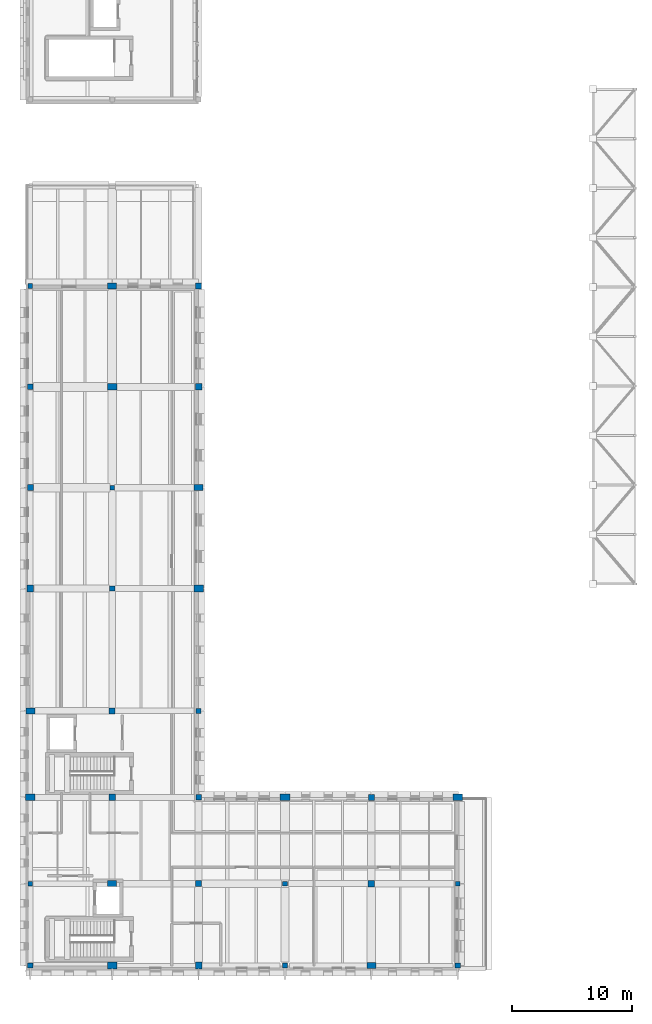
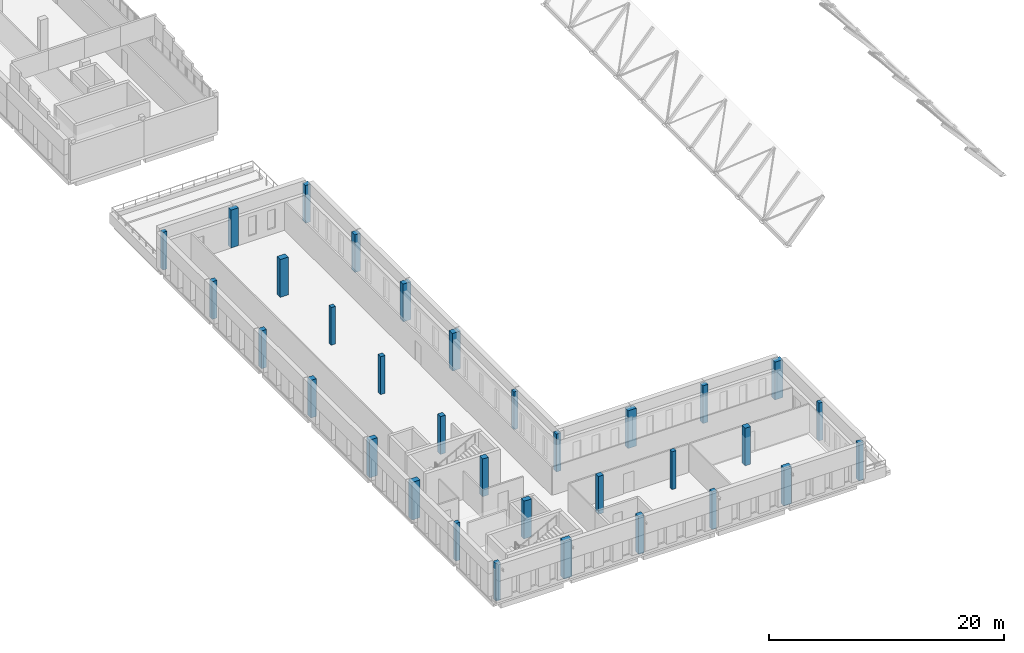
# One storey, part 1 of 34: 33 columns.
"""IFC4 building model written with IfcOpenShell, lengths in metres."""

from ifc_helpers import new_model, si_unit, direction, frame, origin, origin_2d, place, context, subcontext, project, spatial, rectangle, extrude, material, material_profile, profile_set, type_object, element, save


model = new_model("IFC4")

# Units and contexts
model_context = context("Model", 3, precision=1e-05, world=origin(), true_north=direction((0.0, 1.0)))
body_context = subcontext(model_context, "Body", "Model", "MODEL_VIEW")
ifc_project = project(units=[si_unit("LENGTHUNIT", "METRE"), si_unit("AREAUNIT", "SQUARE_METRE"), si_unit("VOLUMEUNIT", "CUBIC_METRE"), si_unit("PLANEANGLEUNIT", "RADIAN"), si_unit("MASSUNIT", "GRAM", prefix="KILO")], contexts=[model_context])

# Site, building, storey
site_placement = place(None, origin())
site = spatial("IfcSite", under=ifc_project, at=site_placement, CompositionType="ELEMENT")
building_placement = place(site_placement, origin())
building = spatial("IfcBuilding", under=site, at=building_placement, Name="Vardoun Plaza Health Centre", CompositionType="ELEMENT")
storey_placement = place(building_placement, frame((0.0, 0.0, 12.89990234375)))
storey = spatial("IfcBuildingStorey", under=building, at=storey_placement, Name="L03", CompositionType="ELEMENT", Elevation=12.89990234375)

# Columns
ifc_material_1 = material(Name="Concrete C40/50", Category="concrete")
ifc_material_profile_1 = material_profile(ifc_material_1, rectangle(XDim=0.39990234375, YDim=0.39990234375, at=origin_2d()), Name="RC-COL 400x400")
ifc_profile_set_1 = profile_set([ifc_material_profile_1], Name="Concrete C40/50")
column_type_1 = type_object("IfcColumnType", Name="C-08", PredefinedType="COLUMN", material=ifc_profile_set_1)
for number, where, z_axis, x_axis, name in (
    (1, (4.8798828125, 11.699951171875, 0.0), (0.0, 0.0, 1.0), (1.0, 0.0, 0.0), "V2 L03 Column C-V2-02"),
    (2, (4.8798828125, 61.5, 0.0), (0.0, 0.0, 1.0), (1.0, 0.0, 0.0), "V2 L03 Column C-V2-08"),
    (3, (11.699951171875, 44.699951171875, 0.0), (0.0, 0.0, 1.0), (1.0, 0.0, 0.0), "V2 L03 Column C-V2-14"),
    (4, (18.89990234375, 26.10009765625, 0.0), (0.0, 0.0, 1.0), (1.0, 0.0, 0.0), "V2 L03 Column C-V2-20"),
    (5, (26.10009765625, 11.699951171875, 0.0), (0.0, 0.0, 1.0), (1.0, 0.0, 0.0), "V2 L03 Column C-V2-26"),
    (6, (40.5, 11.699951171875, 0.0), (0.0, 0.0, 1.0), (1.0, 0.0, 0.0), "V2 L03 Column C-V2-32"),
):
    element("IfcColumn", number, at=place(storey_placement, frame(where, z_axis=z_axis, x_axis=x_axis)), inside=storey, type_object=column_type_1, Name=name, PredefinedType="COLUMN", context=body_context, shape_type="SweptSolid", body=[
        extrude(rectangle(XDim=0.39990234375, YDim=0.39990234375, at=origin_2d()), origin(), (0.0, 0.0, 1.0), 3.920166015625),
    ])
ifc_material_2 = material(Name="Concrete C40/50", Category="concrete")
ifc_material_profile_2 = material_profile(ifc_material_2, rectangle(XDim=0.449951171875, YDim=0.449951171875, at=origin_2d()), Name="RC-COL 450x450")
ifc_profile_set_2 = profile_set([ifc_material_profile_2], Name="Concrete C40/50")
column_type_2 = type_object("IfcColumnType", Name="C-07", PredefinedType="COLUMN", material=ifc_profile_set_2)
for number, where, z_axis, x_axis, name in (
    (7, (4.8798828125, 4.8798828125, 0.0), (0.0, 0.0, 1.0), (1.0, 0.0, 0.0), "V2 L03 Column C-V2-01"),
    (8, (4.8798828125, 53.10009765625, 0.0), (0.0, 0.0, 1.0), (1.0, 0.0, 0.0), "V2 L03 Column C-V2-07"),
    (9, (11.699951171875, 36.300048828125, 0.0), (0.0, 0.0, 1.0), (1.0, 0.0, 0.0), "V2 L03 Column C-V2-13"),
    (10, (18.89990234375, 18.89990234375, 0.0), (0.0, 0.0, 1.0), (1.0, 0.0, 0.0), "V2 L03 Column C-V2-19"),
    (11, (26.10009765625, 4.8798828125, 0.0), (0.0, 0.0, 1.0), (1.0, 0.0, 0.0), "V2 L03 Column C-V2-25"),
    (12, (40.5, 4.8798828125, 0.0), (0.0, 0.0, 1.0), (1.0, 0.0, 0.0), "V2 L03 Column C-V2-31"),
):
    element("IfcColumn", number, at=place(storey_placement, frame(where, z_axis=z_axis, x_axis=x_axis)), inside=storey, type_object=column_type_2, Name=name, PredefinedType="COLUMN", context=body_context, shape_type="SweptSolid", body=[
        extrude(rectangle(XDim=0.449951171875, YDim=0.449951171875, at=origin_2d()), origin(), (0.0, 0.0, 1.0), 3.920166015625),
    ])
ifc_material_3 = material(Name="Concrete C40/50", Category="concrete")
ifc_material_profile_3 = material_profile(ifc_material_3, rectangle(XDim=0.5, YDim=0.5, at=origin_2d()), Name="RC-COL 500x500")
ifc_profile_set_3 = profile_set([ifc_material_profile_3], Name="Concrete C40/50")
column_type_3 = type_object("IfcColumnType", Name="C-06", PredefinedType="COLUMN", material=ifc_profile_set_3)
for number, where, z_axis, x_axis, name in (
    (13, (4.8798828125, 44.699951171875, 0.0), (0.0, 0.0, 1.0), (1.0, 0.0, 0.0), "V2 L03 Column C-V2-06"),
    (14, (11.699951171875, 26.10009765625, 0.0), (0.0, 0.0, 1.0), (1.0, 0.0, 0.0), "V2 L03 Column C-V2-12"),
    (15, (18.89990234375, 11.699951171875, 0.0), (0.0, 0.0, 1.0), (1.0, 0.0, 0.0), "V2 L03 Column C-V2-18"),
    (16, (18.89990234375, 61.5, 0.0), (0.0, 0.0, 1.0), (1.0, 0.0, 0.0), "V2 L03 Column C-V2-24"),
    (17, (33.300048828125, 18.89990234375, 0.0), (0.0, 0.0, 1.0), (1.0, 0.0, 0.0), "V2 L03 Column C-V2-30"),
):
    element("IfcColumn", number, at=place(storey_placement, frame(where, z_axis=z_axis, x_axis=x_axis)), inside=storey, type_object=column_type_3, Name=name, PredefinedType="COLUMN", context=body_context, shape_type="SweptSolid", body=[
        extrude(rectangle(XDim=0.5, YDim=0.5, at=origin_2d()), origin(), (0.0, 0.0, 1.0), 3.920166015625),
    ])
ifc_material_4 = material(Name="Concrete C40/50", Category="concrete")
ifc_material_profile_4 = material_profile(ifc_material_4, rectangle(XDim=0.550048828125, YDim=0.550048828125, at=origin_2d()), Name="RC-COL 550x550")
ifc_profile_set_4 = profile_set([ifc_material_profile_4], Name="Concrete C40/50")
column_type_4 = type_object("IfcColumnType", Name="C-05", PredefinedType="COLUMN", material=ifc_profile_set_4)
for number, where, z_axis, x_axis, name in (
    (18, (4.8798828125, 36.300048828125, 0.0), (0.0, 0.0, 1.0), (1.0, 0.0, 0.0), "V2 L03 Column C-V2-05"),
    (19, (11.699951171875, 18.89990234375, 0.0), (0.0, 0.0, 1.0), (1.0, 0.0, 0.0), "V2 L03 Column C-V2-11"),
    (20, (18.89990234375, 4.8798828125, 0.0), (0.0, 0.0, 1.0), (1.0, 0.0, 0.0), "V2 L03 Column C-V2-17"),
    (21, (18.89990234375, 53.10009765625, 0.0), (0.0, 0.0, 1.0), (1.0, 0.0, 0.0), "V2 L03 Column C-V2-23"),
    (22, (33.300048828125, 11.699951171875, 0.0), (0.0, 0.0, 1.0), (1.0, 0.0, 0.0), "V2 L03 Column C-V2-29"),
):
    element("IfcColumn", number, at=place(storey_placement, frame(where, z_axis=z_axis, x_axis=x_axis)), inside=storey, type_object=column_type_4, Name=name, PredefinedType="COLUMN", context=body_context, shape_type="SweptSolid", body=[
        extrude(rectangle(XDim=0.550048828125, YDim=0.550048828125, at=origin_2d()), origin(), (0.0, 0.0, 1.0), 3.920166015625),
    ])
ifc_material_5 = material(Name="Concrete C40/50", Category="concrete")
ifc_material_profile_5 = material_profile(ifc_material_5, rectangle(XDim=0.75, YDim=0.5, at=origin_2d()), Name="RC-COL 750x500")
ifc_profile_set_5 = profile_set([ifc_material_profile_5], Name="Concrete C40/50")
column_type_5 = type_object("IfcColumnType", Name="C-10", PredefinedType="COLUMN", material=ifc_profile_set_5)
for number, where, z_axis, x_axis, name in (
    (23, (4.8798828125, 26.10009765625, 0.0), (0.0, 0.0, 1.0), (1.0, 0.0, 0.0), "V2 L03 Column C-V2-04"),
    (24, (11.699951171875, 11.699951171875, 0.0), (0.0, 0.0, 1.0), (1.0, 0.0, 0.0), "V2 L03 Column C-V2-10"),
    (25, (11.699951171875, 61.5, 0.0), (0.0, 0.0, 1.0), (1.0, 0.0, 0.0), "V2 L03 Column C-V2-16"),
    (26, (18.89990234375, 44.699951171875, 0.0), (0.0, 0.0, 1.0), (1.0, 0.0, 0.0), "V2 L03 Column C-V2-22"),
    (27, (33.300048828125, 4.8798828125, 0.0), (0.0, 0.0, 1.0), (1.0, 0.0, 0.0), "V2 L03 Column C-V2-28"),
):
    element("IfcColumn", number, at=place(storey_placement, frame(where, z_axis=z_axis, x_axis=x_axis)), inside=storey, type_object=column_type_5, Name=name, PredefinedType="COLUMN", context=body_context, shape_type="SweptSolid", body=[
        extrude(rectangle(XDim=0.75, YDim=0.5, at=origin_2d()), origin(), (0.0, 0.0, 1.0), 3.920166015625),
    ])
ifc_material_6 = material(Name="Concrete C40/50", Category="concrete")
ifc_material_profile_6 = material_profile(ifc_material_6, rectangle(XDim=0.800048828125, YDim=0.550048828125, at=origin_2d()), Name="RC-COL 800x550")
ifc_profile_set_6 = profile_set([ifc_material_profile_6], Name="Concrete C40/50")
column_type_6 = type_object("IfcColumnType", Name="C-09", PredefinedType="COLUMN", material=ifc_profile_set_6)
for number, where, z_axis, x_axis, name in (
    (28, (4.8798828125, 18.89990234375, 0.0), (0.0, 0.0, 1.0), (1.0, 0.0, 0.0), "V2 L03 Column C-V2-03"),
    (29, (11.699951171875, 4.8798828125, 0.0), (0.0, 0.0, 1.0), (1.0, 0.0, 0.0), "V2 L03 Column C-V2-09"),
    (30, (11.699951171875, 53.10009765625, 0.0), (0.0, 0.0, 1.0), (1.0, 0.0, 0.0), "V2 L03 Column C-V2-15"),
    (31, (18.89990234375, 36.300048828125, 0.0), (0.0, 0.0, 1.0), (1.0, 0.0, 0.0), "V2 L03 Column C-V2-21"),
    (32, (26.10009765625, 18.89990234375, 0.0), (0.0, 0.0, 1.0), (1.0, 0.0, 0.0), "V2 L03 Column C-V2-27"),
    (33, (40.5, 18.89990234375, 0.0), (0.0, 0.0, 1.0), (1.0, 0.0, 0.0), "V2 L03 Column C-V2-33"),
):
    element("IfcColumn", number, at=place(storey_placement, frame(where, z_axis=z_axis, x_axis=x_axis)), inside=storey, type_object=column_type_6, Name=name, PredefinedType="COLUMN", context=body_context, shape_type="SweptSolid", body=[
        extrude(rectangle(XDim=0.800048828125, YDim=0.550048828125, at=origin_2d()), origin(), (0.0, 0.0, 1.0), 3.920166015625),
    ])

save(model, "model.ifc")
